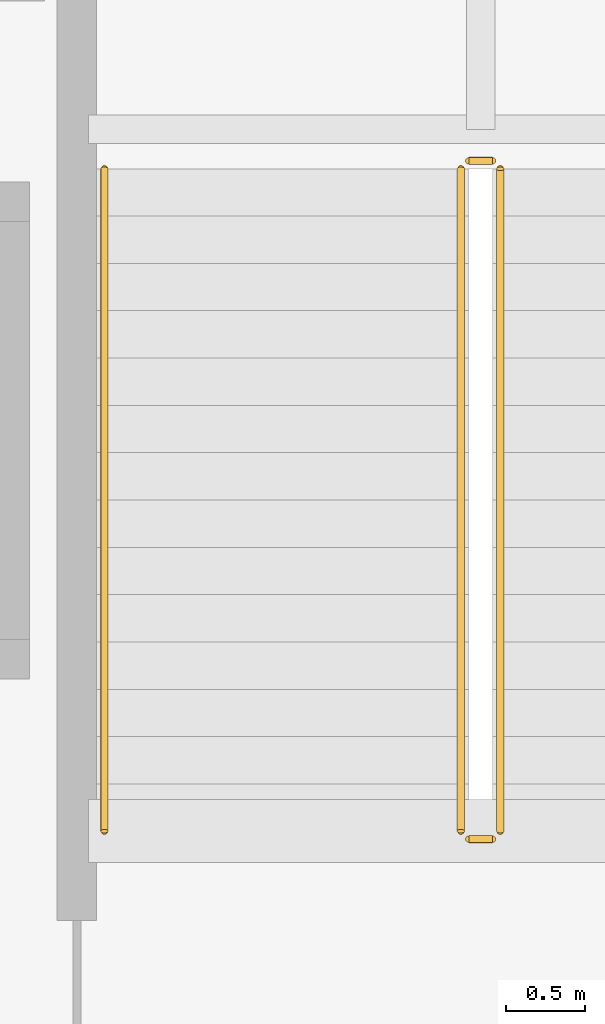
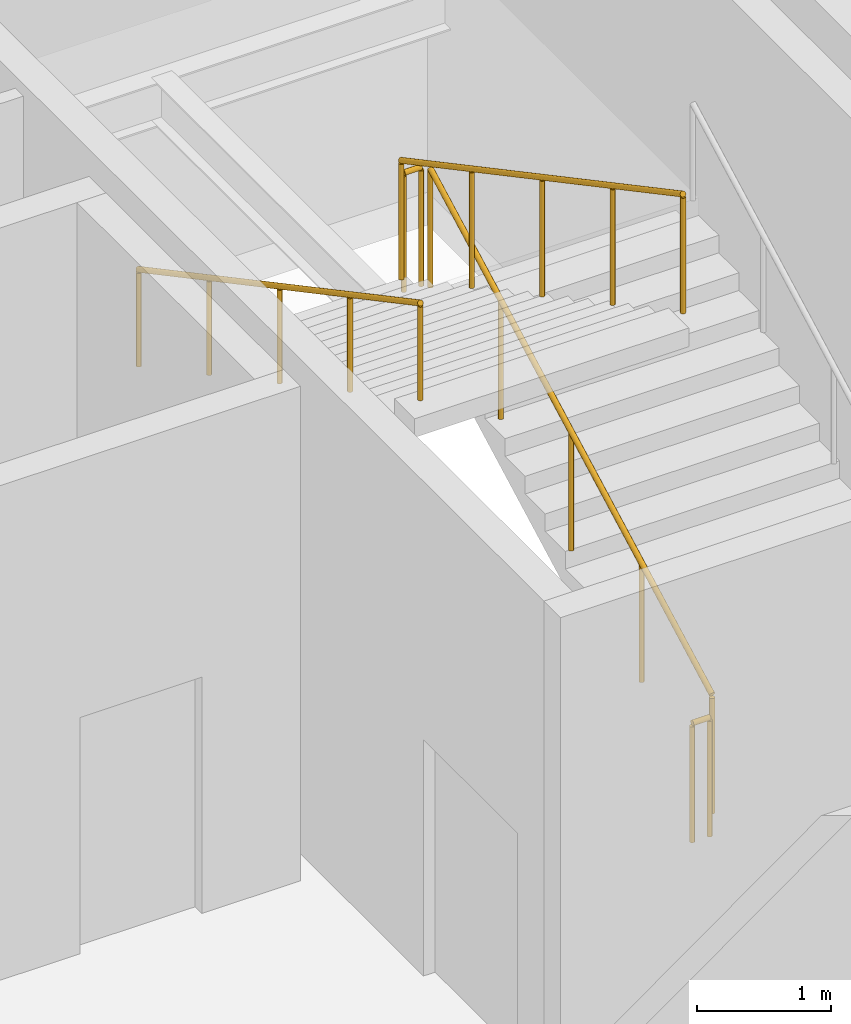
# One storey, part 99 of 104: 5 railings.
"""IFC4 building model written with IfcOpenShell, lengths in metres."""

from ifc_helpers import new_model, si_unit, direction, frame, origin, origin_2d, place, context, subcontext, project, spatial, circle, extrude, material, type_object, element, save


model = new_model("IFC4")

# Units and contexts
model_context = context("Model", 3, precision=1e-05, world=origin(), true_north=direction((0.0, 1.0)))
body_context = subcontext(model_context, "Body", "Model", "MODEL_VIEW")
ifc_project = project(units=[si_unit("LENGTHUNIT", "METRE"), si_unit("AREAUNIT", "SQUARE_METRE"), si_unit("VOLUMEUNIT", "CUBIC_METRE"), si_unit("PLANEANGLEUNIT", "RADIAN"), si_unit("MASSUNIT", "GRAM", prefix="KILO")], contexts=[model_context])

# Site, building, storey
site_placement = place(None, origin())
site = spatial("IfcSite", under=ifc_project, at=site_placement, CompositionType="ELEMENT")
building_placement = place(site_placement, origin())
building = spatial("IfcBuilding", under=site, at=building_placement, Name="Koshinbarg Plaza Stadium", CompositionType="ELEMENT")
storey_placement = place(building_placement, frame((0.0, 0.0, 19.800048828125)))
storey = spatial("IfcBuildingStorey", under=building, at=storey_placement, Name="L04", CompositionType="ELEMENT", Elevation=19.800048828125)

# Railings
ifc_material_1 = material(Name="Galvanized painted steel guardrail", Category="steel")
railing_type_1 = type_object("IfcRailingType", Name="RL-GUARD-1100", PredefinedType="GUARDRAIL", material=ifc_material_1)
railing_1_placement = place(storey_placement, frame((214.760009765625, 87.56005859375, 0.159912109375)))
element("IfcRailing", 1, at=railing_1_placement, inside=storey, type_object=railing_type_1, Name="L04 C09 stair guard 1", PredefinedType="GUARDRAIL", context=body_context, shape_type="SweptSolid", body=[
    extrude(circle(Radius=0.02392578125, at=origin_2d()), frame((0.0, 0.0, 1.076171875), z_axis=(0.0, 0.882351521365, 0.470590897432), x_axis=(-1.0, 0.0, 0.0)), (0.0, 0.0, 1.0), 4.760009765625),
    extrude(circle(Radius=0.02099609375, at=origin_2d()), origin(), (0.0, 0.0, 1.0), 1.052001953125),
    extrude(circle(Radius=0.02099609375, at=origin_2d()), frame((0.0, 1.050048828125, 0.56005859375)), (0.0, 0.0, 1.0), 1.052001953125),
    extrude(circle(Radius=0.02099609375, at=origin_2d()), frame((0.0, 2.10009765625, 1.1201171875)), (0.0, 0.0, 1.0), 1.052001953125),
    extrude(circle(Radius=0.02099609375, at=origin_2d()), frame((0.0, 3.14990234375, 1.679931640625)), (0.0, 0.0, 1.0), 1.052001953125),
    extrude(circle(Radius=0.02099609375, at=origin_2d()), frame((0.0, 4.199951171875, 2.239990234375)), (0.0, 0.0, 1.0), 1.052001953125),
])
railing_2_placement = place(storey_placement, frame((214.7099609375, 91.81005859375, 2.39990234375)))
element("IfcRailing", 2, at=railing_2_placement, inside=storey, type_object=railing_type_1, Name="L04 C09 stair guard 2", PredefinedType="GUARDRAIL", context=body_context, shape_type="SweptSolid", body=[
    extrude(circle(Radius=0.02392578125, at=origin_2d()), frame((0.0, 0.0, 1.076171875), z_axis=(-1.0, 0.0, 0.0), x_axis=(0.0, -1.0, 0.0)), (0.0, 0.0, 1.0), 0.14990234375),
    extrude(circle(Radius=0.02099609375, at=origin_2d()), origin(), (0.0, 0.0, 1.0), 1.052001953125),
    extrude(circle(Radius=0.02099609375, at=origin_2d()), frame((-0.14990234375, 0.0, 0.0)), (0.0, 0.0, 1.0), 1.052001953125),
])
railing_3_placement = place(storey_placement, frame((214.510009765625, 91.760009765625, 2.56005859375)))
element("IfcRailing", 3, at=railing_3_placement, inside=storey, type_object=railing_type_1, Name="L04 C09 stair guard 3", PredefinedType="GUARDRAIL", context=body_context, shape_type="SweptSolid", body=[
    extrude(circle(Radius=0.02392578125, at=origin_2d()), frame((0.0, 0.0, 1.076171875), z_axis=(0.0, -0.882351521365, 0.470590897432), x_axis=(1.0, 0.0, 0.0)), (0.0, 0.0, 1.0), 4.760009765625),
    extrude(circle(Radius=0.02099609375, at=origin_2d()), origin(), (0.0, 0.0, 1.0), 1.052001953125),
    extrude(circle(Radius=0.02099609375, at=origin_2d()), frame((0.0, -1.050048828125, 0.56005859375)), (0.0, 0.0, 1.0), 1.052001953125),
    extrude(circle(Radius=0.02099609375, at=origin_2d()), frame((0.0, -2.10009765625, 1.1201171875)), (0.0, 0.0, 1.0), 1.052001953125),
    extrude(circle(Radius=0.02099609375, at=origin_2d()), frame((0.0, -3.14990234375, 1.679931640625)), (0.0, 0.0, 1.0), 1.052001953125),
    extrude(circle(Radius=0.02099609375, at=origin_2d()), frame((0.0, -4.199951171875, 2.239990234375)), (0.0, 0.0, 1.0), 1.052001953125),
])
railing_4_placement = place(storey_placement, frame((214.7099609375, 87.510009765625, 0.0)))
element("IfcRailing", 4, at=railing_4_placement, inside=storey, type_object=railing_type_1, Name="L04 C09 stair guard 4", PredefinedType="GUARDRAIL", context=body_context, shape_type="SweptSolid", body=[
    extrude(circle(Radius=0.02392578125, at=origin_2d()), frame((0.0, 0.0, 1.076171875), z_axis=(-1.0, 0.0, 0.0), x_axis=(0.0, -1.0, 0.0)), (0.0, 0.0, 1.0), 0.14990234375),
    extrude(circle(Radius=0.02099609375, at=origin_2d()), origin(), (0.0, 0.0, 1.0), 1.052001953125),
    extrude(circle(Radius=0.02099609375, at=origin_2d()), frame((-0.14990234375, 0.0, 0.0)), (0.0, 0.0, 1.0), 1.052001953125),
])
ifc_material_2 = material(Name="Brushed stainless steel handrail", Category="steel")
railing_type_2 = type_object("IfcRailingType", Name="RL-HAND-900", PredefinedType="HANDRAIL", material=ifc_material_2)
railing_5_placement = place(storey_placement, frame((212.25, 91.760009765625, 2.56005859375)))
element("IfcRailing", 5, at=railing_5_placement, inside=storey, type_object=railing_type_2, Name="L04 C09 stair handrail 2", PredefinedType="HANDRAIL", context=body_context, shape_type="SweptSolid", body=[
    extrude(circle(Radius=0.02392578125, at=origin_2d()), frame((0.0, 0.0, 0.8759765625), z_axis=(0.0, -0.882351521365, 0.470590897432), x_axis=(1.0, 0.0, 0.0)), (0.0, 0.0, 1.0), 4.760009765625),
    extrude(circle(Radius=0.02099609375, at=origin_2d()), origin(), (0.0, 0.0, 1.0), 0.851806640625),
    extrude(circle(Radius=0.02099609375, at=origin_2d()), frame((0.0, -1.050048828125, 0.56005859375)), (0.0, 0.0, 1.0), 0.851806640625),
    extrude(circle(Radius=0.02099609375, at=origin_2d()), frame((0.0, -2.10009765625, 1.1201171875)), (0.0, 0.0, 1.0), 0.851806640625),
    extrude(circle(Radius=0.02099609375, at=origin_2d()), frame((0.0, -3.14990234375, 1.679931640625)), (0.0, 0.0, 1.0), 0.851806640625),
    extrude(circle(Radius=0.02099609375, at=origin_2d()), frame((0.0, -4.199951171875, 2.239990234375)), (0.0, 0.0, 1.0), 0.851806640625),
])

save(model, "model.ifc")
